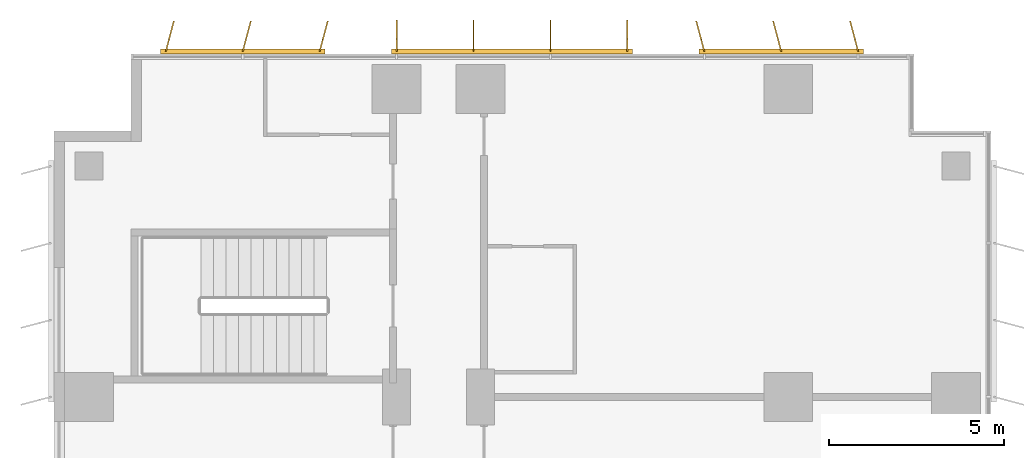
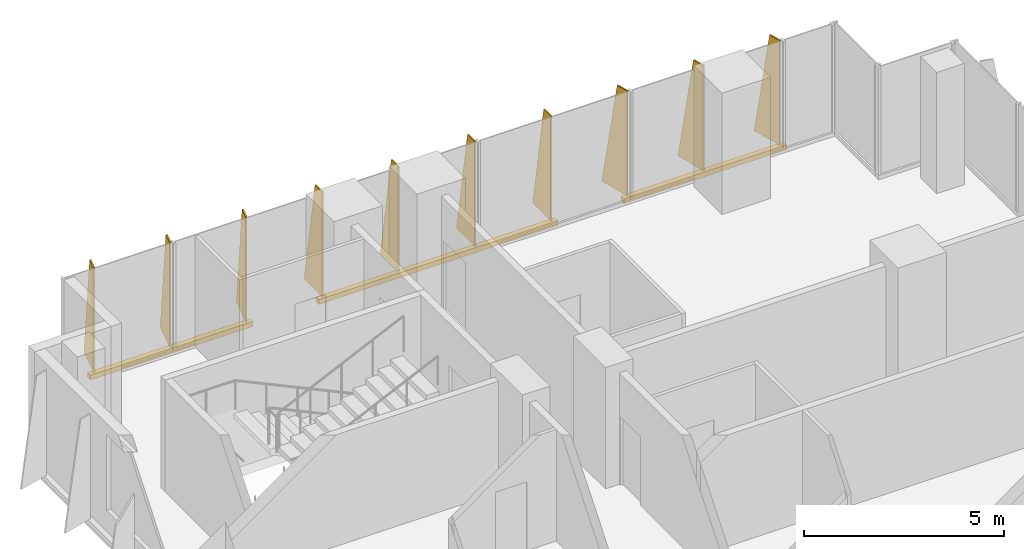
# One storey, part 24 of 24: 3 shading devices.
"""IFC4 building model written with IfcOpenShell, lengths in metres."""

from ifc_helpers import new_model, si_unit, direction, frame, origin, origin_2d, place, context, subcontext, project, spatial, polyline, rectangle, outline, extrude, source, transform, mapped, material, layer, layer_set, type_object, element, save


model = new_model("IFC4")

# Units and contexts
model_context = context("Model", 3, precision=1e-05, world=origin(), true_north=direction((0.0, 1.0)))
body_context = subcontext(model_context, "Body", "Model", "MODEL_VIEW")
ifc_project = project(units=[si_unit("LENGTHUNIT", "METRE"), si_unit("AREAUNIT", "SQUARE_METRE"), si_unit("VOLUMEUNIT", "CUBIC_METRE"), si_unit("PLANEANGLEUNIT", "RADIAN"), si_unit("MASSUNIT", "GRAM", prefix="KILO")], contexts=[model_context])

# Site, building, storey
site_placement = place(None, origin())
site = spatial("IfcSite", under=ifc_project, at=site_placement, CompositionType="ELEMENT")
building_placement = place(site_placement, origin())
building = spatial("IfcBuilding", under=site, at=building_placement, Name="Kemantara Hotel Tower", CompositionType="ELEMENT")
storey_placement = place(building_placement, frame((0.0, 0.0, 37.699951171875)))
storey = spatial("IfcBuildingStorey", under=building, at=storey_placement, Name="L07", CompositionType="ELEMENT", Elevation=37.699951171875)

# Shading devices
ifc_material = material(Name="Perforated aluminium plate 4 mm bronze anodised", Category="aluminium")
ifc_layer_1 = layer(ifc_material, 0.0400390625)
ifc_layer_set_1 = layer_set([ifc_layer_1], Name="Perforated aluminium plate 4 mm bronze anodised")
shading_device_type_1 = type_object("IfcShadingDeviceType", Name="SCREEN FIN CASSETTE, 3 BLADES AT -15.0 DEG, 3200 HIGH", PredefinedType="USERDEFINED", material=ifc_layer_set_1)
shared_shape_1 = source(origin(), body_context, "Body", "SweptSolid", [
    extrude(rectangle(XDim=4.699951171875, YDim=0.14990234375, at=origin_2d()), frame((2.199951171875, -0.074951171875, -0.14990234375), z_axis=(0.0, 0.0, 1.0), x_axis=(1.0, 0.0, 0.0)), (0.0, 0.0, 1.0), 0.14990234375),
    extrude(outline(polyline([(0.0, 0.0), (0.89990234375, 0.0), (0.35009765625, 3.199951171875), (0.0, 3.199951171875), (0.0, 0.0)])), frame((0.019287109375, -0.080078125, 0.0), z_axis=(-0.966437683387, 0.256901156343, 0.0), x_axis=(-0.256901156343, -0.966437683387, 0.0)), (0.0, 0.0, 1.0), 0.039794921875),
    extrude(outline(polyline([(0.0, 0.0), (0.89990234375, 0.0), (0.35009765625, 3.199951171875), (0.0, 3.199951171875), (0.0, 0.0)])), frame((2.21923828125, -0.080078125, 0.0), z_axis=(-0.966437683387, 0.256901156343, 0.0), x_axis=(-0.256901156343, -0.966437683387, 0.0)), (0.0, 0.0, 1.0), 0.039794921875),
    extrude(outline(polyline([(0.0, 0.0), (0.89990234375, 0.0), (0.35009765625, 3.199951171875), (0.0, 3.199951171875), (0.0, 0.0)])), frame((4.41943359375, -0.080078125, 0.0), z_axis=(-0.966837822169, 0.255391122837, 0.0), x_axis=(-0.255391122837, -0.966837822169, 0.0)), (0.0, 0.0, 1.0), 0.0400390625),
])
shading_device_1_placement = place(storey_placement, frame((7.60009765625, 81.199951171875, 0.10009765625), z_axis=(0.0, 0.0, 1.0), x_axis=(-1.0, 0.0, 0.0)))
element("IfcShadingDevice", 1, at=shading_device_1_placement, inside=storey, type_object=shading_device_type_1, Name="SCREEN FIN CASSETTE L07 T1-R11-3", ObjectType="SCREEN FIN", PredefinedType="USERDEFINED", context=body_context, shape_type="MappedRepresentation", body=[
    mapped(shared_shape_1, transform((0.0, 0.0, 0.0))),
])
ifc_layer_2 = layer(ifc_material, 0.0400390625)
ifc_layer_set_2 = layer_set([ifc_layer_2], Name="Perforated aluminium plate 4 mm bronze anodised")
shading_device_type_2 = type_object("IfcShadingDeviceType", Name="SCREEN FIN CASSETTE, 4 BLADES AT +0.0 DEG, 3200 HIGH", PredefinedType="USERDEFINED", material=ifc_layer_set_2)
shared_shape_2 = source(origin(), body_context, "Body", "SweptSolid", [
    extrude(rectangle(XDim=6.89990234375, YDim=0.14990234375, at=origin_2d()), frame((3.300048828125, -0.074951171875, -0.14990234375), z_axis=(0.0, 0.0, 1.0), x_axis=(1.0, 0.0, 0.0)), (0.0, 0.0, 1.0), 0.14990234375),
    extrude(outline(polyline([(0.0, 0.0), (0.89990234375, 0.0), (0.35009765625, 3.199951171875), (0.0, 3.199951171875), (0.0, 0.0)])), frame((0.02001953125, -0.074951171875, 0.0), z_axis=(-1.0, 0.0, 0.0), x_axis=(0.0, -1.0, 0.0)), (0.0, 0.0, 1.0), 0.0400390625),
    extrude(outline(polyline([(0.0, 0.0), (0.89990234375, 0.0), (0.35009765625, 3.199951171875), (0.0, 3.199951171875), (0.0, 0.0)])), frame((2.219970703125, -0.074951171875, 0.0), z_axis=(-1.0, 0.0, 0.0), x_axis=(0.0, -1.0, 0.0)), (0.0, 0.0, 1.0), 0.0400390625),
    extrude(outline(polyline([(0.0, 0.0), (0.89990234375, 0.0), (0.35009765625, 3.199951171875), (0.0, 3.199951171875), (0.0, 0.0)])), frame((4.419921875, -0.074951171875, 0.0), z_axis=(-1.0, 0.0, 0.0), x_axis=(0.0, -1.0, 0.0)), (0.0, 0.0, 1.0), 0.0400390625),
    extrude(outline(polyline([(0.0, 0.0), (0.89990234375, 0.0), (0.35009765625, 3.199951171875), (0.0, 3.199951171875), (0.0, 0.0)])), frame((6.6201171875, -0.074951171875, 0.0), z_axis=(-1.0, 0.0, 0.0), x_axis=(0.0, -1.0, 0.0)), (0.0, 0.0, 1.0), 0.0400390625),
])
shading_device_2_placement = place(storey_placement, frame((16.39990234375, 81.199951171875, 0.10009765625), z_axis=(0.0, 0.0, 1.0), x_axis=(-1.0, 0.0, 0.0)))
element("IfcShadingDevice", 2, at=shading_device_2_placement, inside=storey, type_object=shading_device_type_2, Name="SCREEN FIN CASSETTE L07 T1-R11-2", ObjectType="SCREEN FIN", PredefinedType="USERDEFINED", context=body_context, shape_type="MappedRepresentation", body=[
    mapped(shared_shape_2, transform((0.0, 0.0, 0.0))),
])
ifc_layer_3 = layer(ifc_material, 0.0400390625)
ifc_layer_set_3 = layer_set([ifc_layer_3], Name="Perforated aluminium plate 4 mm bronze anodised")
shading_device_type_3 = type_object("IfcShadingDeviceType", Name="SCREEN FIN CASSETTE, 3 BLADES AT +15.0 DEG, 3200 HIGH", PredefinedType="USERDEFINED", material=ifc_layer_set_3)
shared_shape_3 = source(origin(), body_context, "Body", "SweptSolid", [
    extrude(rectangle(XDim=4.699951171875, YDim=0.14990234375, at=origin_2d()), frame((2.199951171875, -0.074951171875, -0.14990234375), z_axis=(0.0, 0.0, 1.0), x_axis=(1.0, 0.0, 0.0)), (0.0, 0.0, 1.0), 0.14990234375),
    extrude(outline(polyline([(0.0, 0.0), (0.89990234375, 0.0), (0.35009765625, 3.199951171875), (0.0, 3.199951171875), (0.0, 0.0)])), frame((0.019287109375, -0.06982421875, 0.0), z_axis=(-0.966437683387, -0.256901156343, 0.0), x_axis=(0.256901156343, -0.966437683387, 0.0)), (0.0, 0.0, 1.0), 0.039794921875),
    extrude(outline(polyline([(0.0, 0.0), (0.89990234375, 0.0), (0.35009765625, 3.199951171875), (0.0, 3.199951171875), (0.0, 0.0)])), frame((2.21923828125, -0.06982421875, 0.0), z_axis=(-0.966437683387, -0.256901156343, 0.0), x_axis=(0.256901156343, -0.966437683387, 0.0)), (0.0, 0.0, 1.0), 0.039794921875),
    extrude(outline(polyline([(0.0, 0.0), (0.89990234375, 0.0), (0.35009765625, 3.199951171875), (0.0, 3.199951171875), (0.0, 0.0)])), frame((4.41943359375, -0.06982421875, 0.0), z_axis=(-0.966837822169, -0.255391122837, 0.0), x_axis=(0.255391122837, -0.966837822169, 0.0)), (0.0, 0.0, 1.0), 0.0400390625),
])
shading_device_3_placement = place(storey_placement, frame((23.0, 81.199951171875, 0.10009765625), z_axis=(0.0, 0.0, 1.0), x_axis=(-1.0, 0.0, 0.0)))
element("IfcShadingDevice", 3, at=shading_device_3_placement, inside=storey, type_object=shading_device_type_3, Name="SCREEN FIN CASSETTE L07 T1-R11-1", ObjectType="SCREEN FIN", PredefinedType="USERDEFINED", context=body_context, shape_type="MappedRepresentation", body=[
    mapped(shared_shape_3, transform((0.0, 0.0, 0.0))),
])

save(model, "model.ifc")
